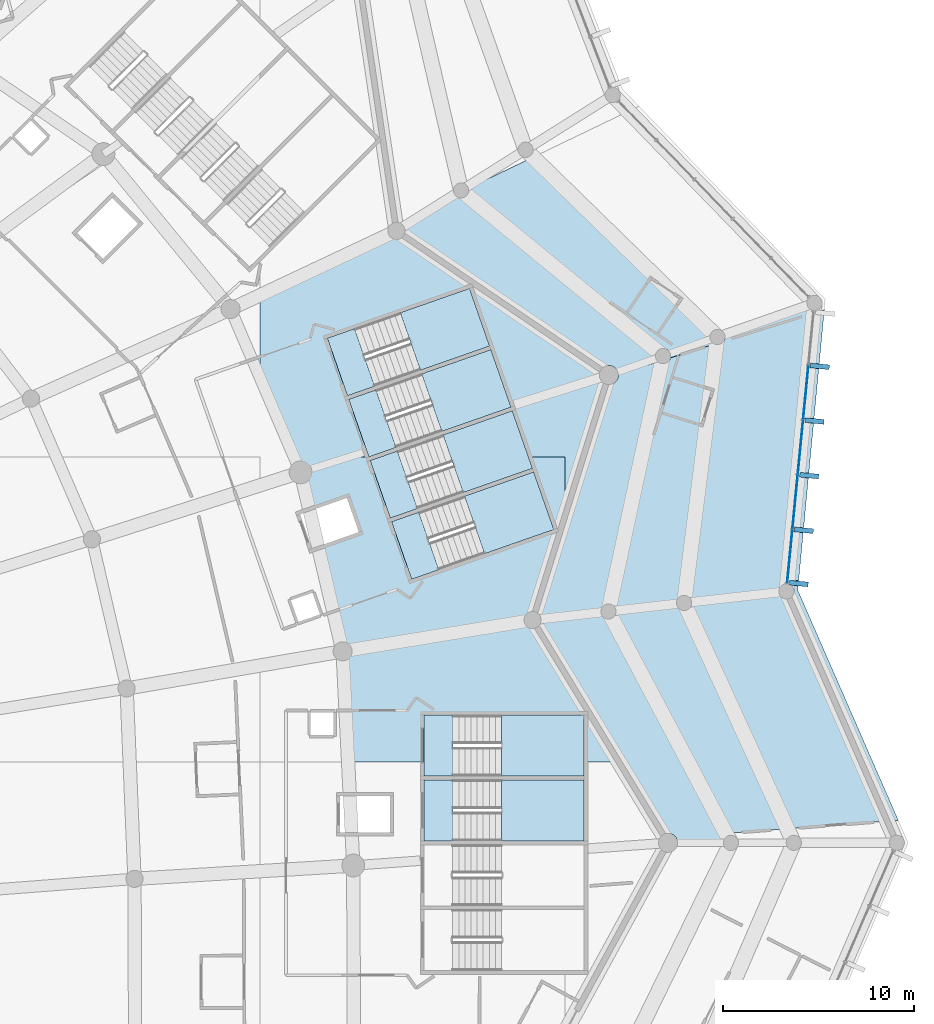
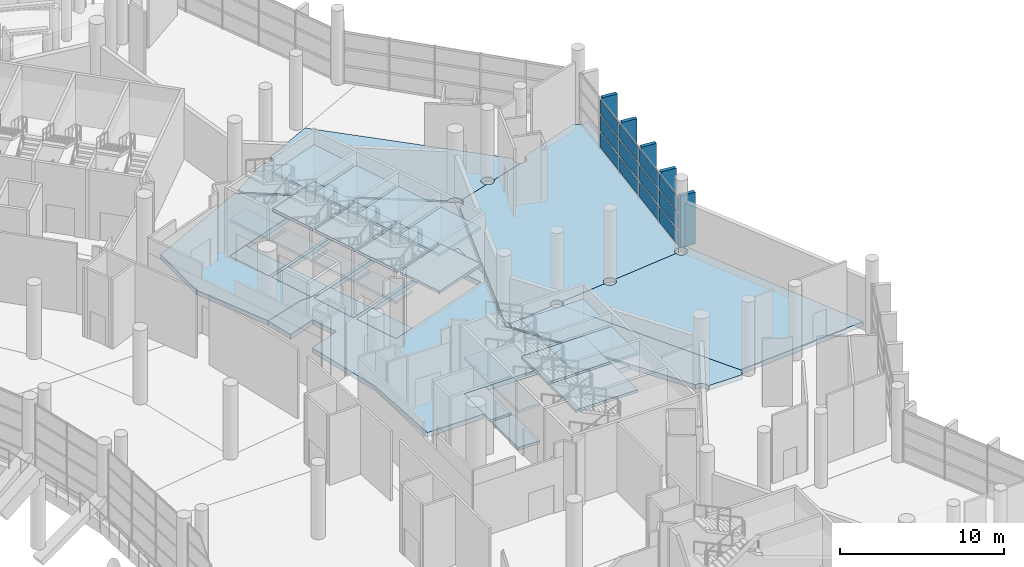
# One storey, part 151 of 271: 30 slabs, 17 plates, 7 elements without a shape of their own.
"""IFC4 building model written with IfcOpenShell, lengths in metres."""

from ifc_helpers import new_model, si_unit, direction, frame, origin, origin_2d, place, context, subcontext, project, spatial, polyline, rectangle, outline, extrude, material, layer, layer_set, type_object, element, aggregate, save


model = new_model("IFC4")

# Units and contexts
model_context = context("Model", 3, precision=1e-05, world=origin(), true_north=direction((0.0, 1.0)))
body_context = subcontext(model_context, "Body", "Model", "MODEL_VIEW")
ifc_project = project(units=[si_unit("LENGTHUNIT", "METRE"), si_unit("AREAUNIT", "SQUARE_METRE"), si_unit("VOLUMEUNIT", "CUBIC_METRE"), si_unit("PLANEANGLEUNIT", "RADIAN"), si_unit("MASSUNIT", "GRAM", prefix="KILO")], contexts=[model_context])

# Site, building, storey
site_placement = place(None, origin())
site = spatial("IfcSite", under=ifc_project, at=site_placement, CompositionType="ELEMENT")
building_placement = place(site_placement, origin())
building = spatial("IfcBuilding", under=site, at=building_placement, Name="Meseta Stadium", CompositionType="ELEMENT")
storey_placement = place(building_placement, frame((0.0, 0.0, 6.5)))
storey = spatial("IfcBuildingStorey", under=building, at=storey_placement, Name="L01", CompositionType="ELEMENT", Elevation=6.5)

# Slabs
ifc_material_1 = material(Name="Concrete C40/50", Category="concrete")
ifc_layer_1 = layer(ifc_material_1, 0.35009765625)
ifc_layer_set_1 = layer_set([ifc_layer_1], Name="Floor slab 350")
slab_type_1 = type_object("IfcSlabType", Name="Floor slab 350", PredefinedType="FLOOR", material=ifc_layer_set_1)
slab_1_placement = place(storey_placement, frame((0.0, 0.0, -0.35009765625)))
element("IfcSlab", 1, at=slab_1_placement, inside=storey, type_object=slab_type_1, Name="Floor slab L01 sector 07 panel 15", PredefinedType="FLOOR", context=body_context, shape_type="SweptSolid", body=[
    extrude(outline(polyline([(82.119873046875, 63.19091796875), (82.137451171875, 63.115966796875), (84.95703125, 64.0), (85.7041015625, 64.0), (84.647705078125, 67.01953125), (92.104248046875, 69.62890625), (93.1611328125, 66.6083984375), (85.70703125, 64.0), (86.312255859375, 64.0), (93.227294921875, 66.419677734375), (94.07373046875, 64.0), (96.0, 64.0), (96.0, 60.927734375), (98.291015625, 68.297607421875), (87.15087890625, 75.856689453125), (80.0, 72.48828125), (80.0, 68.13232421875), (82.119873046875, 63.19091796875)]), holes=[polyline([(84.58154296875, 67.208251953125), (83.524658203125, 70.228759765625), (90.981201171875, 72.837890625), (92.0380859375, 69.8173828125), (84.58154296875, 67.208251953125)])]), origin(), (0.0, 0.0, 1.0), 0.35009765625),
])
slab_2_placement = place(storey_placement, frame((0.0, 0.0, -0.35009765625)))
element("IfcSlab", 2, at=slab_2_placement, inside=storey, type_object=slab_type_1, Name="Floor slab L01 sector 07 panel 16", PredefinedType="FLOOR", context=body_context, shape_type="SweptSolid", body=[
    extrude(outline(polyline([(84.956787109375, 64.0), (82.137451171875, 63.115966796875), (82.59619140625, 61.163330078125), (84.55029296875, 61.84716796875), (85.177978515625, 60.0537109375), (83.032958984375, 59.30322265625), (84.3251953125, 53.801513671875), (84.613525390625, 48.0), (88.60009765625, 48.0), (88.60009765625, 50.449951171875), (97.0, 50.449951171875), (97.0, 48.0), (98.81689453125, 48.0), (94.29443359375, 55.44140625), (96.0, 60.927734375), (96.0, 64.0), (94.07373046875, 64.0), (94.2841796875, 63.399169921875), (86.827392578125, 60.789794921875), (85.7705078125, 63.810302734375), (86.312255859375, 64.0), (85.70703125, 64.0), (85.70458984375, 63.9990234375), (85.7041015625, 64.0), (84.956787109375, 64.0)]), holes=[polyline([(86.8935546875, 60.601318359375), (94.35009765625, 63.21044921875), (95.406982421875, 60.18994140625), (87.950439453125, 57.580810546875), (86.8935546875, 60.601318359375)])]), origin(), (0.0, 0.0, 1.0), 0.35009765625),
])
slab_3_placement = place(storey_placement, frame((0.0, 0.0, -0.35009765625)))
element("IfcSlab", 3, at=slab_3_placement, inside=storey, type_object=slab_type_1, Name="Ring floor slab L01 1 part 1 panel 03", PredefinedType="FLOOR", context=body_context, shape_type="SweptSolid", body=[
    extrude(outline(polyline([(90.25244140625, 77.69970703125), (90.197509765625, 77.771240234375), (87.533447265625, 76.097412109375), (87.5439453125, 76.083740234375), (87.589111328125, 75.97412109375), (87.604736328125, 75.856689453125), (87.58935546875, 75.740478515625), (97.980712890625, 68.689453125), (98.0390625, 68.734130859375), (98.16064453125, 68.78466796875), (98.291015625, 68.8017578125), (98.421630859375, 68.78466796875), (98.543212890625, 68.734130859375), (98.647705078125, 68.654052734375), (98.727783203125, 68.549560546875), (98.7783203125, 68.427978515625), (98.790283203125, 68.337158203125), (100.8779296875, 68.99169921875), (100.855224609375, 69.00927734375), (100.791015625, 69.0927734375), (100.750732421875, 69.190185546875), (100.737060546875, 69.29443359375), (100.750732421875, 69.39892578125), (100.791015625, 69.49609375), (100.855224609375, 69.579833984375), (100.938720703125, 69.643798828125), (101.0361328125, 69.68408203125), (101.140380859375, 69.697998046875), (101.2451171875, 69.68408203125), (101.34228515625, 69.643798828125), (101.42578125, 69.579833984375), (101.489990234375, 69.49609375), (101.5302734375, 69.39892578125), (101.5439453125, 69.29443359375), (101.531005859375, 69.196533203125), (103.84033203125, 69.920654296875), (103.7880859375, 69.942138671875), (103.70458984375, 70.00634765625), (103.640380859375, 70.08984375), (103.60009765625, 70.18701171875), (103.58642578125, 70.29150390625), (103.60009765625, 70.39599609375), (103.640380859375, 70.493408203125), (103.70166015625, 70.572998046875), (94.31884765625, 79.728515625), (90.924560546875, 78.09619140625), (90.927490234375, 78.08935546875), (90.941162109375, 77.98486328125), (90.927490234375, 77.880615234375), (90.88720703125, 77.783203125), (90.822998046875, 77.69970703125), (90.739501953125, 77.635498046875), (90.64208984375, 77.59521484375), (90.53759765625, 77.581298828125), (90.433349609375, 77.59521484375), (90.3359375, 77.635498046875), (90.25244140625, 77.69970703125)])), origin(), (0.0, 0.0, 1.0), 0.35009765625),
])
slab_4_placement = place(storey_placement, frame((0.0, 0.0, -0.35009765625)))
element("IfcSlab", 4, at=slab_4_placement, inside=storey, type_object=slab_type_1, Name="Ring floor slab L01 1 part 1 panel 04", PredefinedType="FLOOR", context=body_context, shape_type="SweptSolid", body=[
    extrude(outline(polyline([(97.919921875, 55.6875), (97.879638671875, 55.784912109375), (97.87158203125, 55.844482421875), (94.74169921875, 55.491943359375), (94.748291015625, 55.44140625), (94.73291015625, 55.323974609375), (94.6875, 55.214599609375), (94.64306640625, 55.156494140625), (101.27880859375, 44.23828125), (101.39990234375, 44.25439453125), (101.530517578125, 44.237060546875), (101.652099609375, 44.186767578125), (101.756591796875, 44.106689453125), (101.836669921875, 44.002197265625), (101.88720703125, 43.880615234375), (101.904296875, 43.75), (104.29638671875, 43.75), (104.310302734375, 43.8544921875), (104.3505859375, 43.95166015625), (104.414794921875, 44.035400390625), (104.498291015625, 44.099365234375), (104.511962890625, 44.10498046875), (98.45751953125, 55.5341796875), (98.373779296875, 55.49951171875), (98.269287109375, 55.48583984375), (98.164794921875, 55.49951171875), (98.0673828125, 55.539794921875), (97.98388671875, 55.60400390625), (97.919921875, 55.6875)])), origin(), (0.0, 0.0, 1.0), 0.35009765625),
])
slab_5_placement = place(storey_placement, frame((0.0, 0.0, -0.35009765625)))
element("IfcSlab", 5, at=slab_5_placement, inside=storey, type_object=slab_type_1, Name="Ring floor slab L01 1 part 1 panel 06", PredefinedType="FLOOR", context=body_context, shape_type="SweptSolid", body=[
    extrude(outline(polyline([(94.74169921875, 55.491943359375), (97.87158203125, 55.844482421875), (97.86572265625, 55.889404296875), (97.879638671875, 55.993896484375), (97.919921875, 56.091064453125), (97.98388671875, 56.174560546875), (98.0673828125, 56.23876953125), (98.164794921875, 56.279052734375), (98.269287109375, 56.292724609375), (98.373779296875, 56.279052734375), (98.470947265625, 56.23876953125), (98.554443359375, 56.174560546875), (98.61865234375, 56.091064453125), (98.658935546875, 55.993896484375), (98.666748046875, 55.93408203125), (101.8466796875, 56.29248046875), (101.8408203125, 56.337158203125), (101.8544921875, 56.441650390625), (101.894775390625, 56.538818359375), (101.958740234375, 56.62255859375), (102.04248046875, 56.6865234375), (102.1396484375, 56.726806640625), (102.244140625, 56.740478515625), (102.348388671875, 56.726806640625), (102.44580078125, 56.6865234375), (102.529296875, 56.62255859375), (102.593505859375, 56.538818359375), (102.6337890625, 56.441650390625), (102.6416015625, 56.382080078125), (107.212646484375, 56.89697265625), (107.206787109375, 56.94189453125), (107.220458984375, 57.046142578125), (107.2607421875, 57.1435546875), (107.324951171875, 57.22705078125), (107.408447265625, 57.291259765625), (107.505615234375, 57.33154296875), (107.610107421875, 57.34521484375), (107.649169921875, 57.340087890625), (107.657958984375, 57.430419921875), (108.255615234375, 57.526611328125), (109.601318359375, 71.726806640625), (109.03564453125, 71.54931640625), (109.048095703125, 71.6767578125), (108.982421875, 71.685302734375), (108.88525390625, 71.7255859375), (108.801513671875, 71.789794921875), (108.737548828125, 71.873291015625), (108.708740234375, 71.94287109375), (104.3681640625, 70.423828125), (104.379638671875, 70.39599609375), (104.393310546875, 70.29150390625), (104.379638671875, 70.18701171875), (104.33935546875, 70.08984375), (104.275146484375, 70.00634765625), (104.191650390625, 69.942138671875), (104.094482421875, 69.90185546875), (103.989990234375, 69.88818359375), (103.885498046875, 69.90185546875), (103.84033203125, 69.920654296875), (101.531005859375, 69.196533203125), (101.5302734375, 69.190185546875), (101.489990234375, 69.0927734375), (101.42578125, 69.00927734375), (101.34228515625, 68.945068359375), (101.2451171875, 68.90478515625), (101.140380859375, 68.89111328125), (101.0361328125, 68.90478515625), (100.938720703125, 68.945068359375), (100.8779296875, 68.99169921875), (98.790283203125, 68.337158203125), (98.79541015625, 68.297607421875), (98.7783203125, 68.1669921875), (98.727783203125, 68.04541015625), (98.647705078125, 67.94091796875), (98.543212890625, 67.860595703125), (98.421630859375, 67.810302734375), (98.29150390625, 67.793212890625), (94.563720703125, 55.802001953125), (94.615478515625, 55.762451171875), (94.6875, 55.66845703125), (94.73291015625, 55.558837890625), (94.74169921875, 55.491943359375)])), origin(), (0.0, 0.0, 1.0), 0.35009765625),
])
slab_6_placement = place(storey_placement, frame((0.0, 0.0, -0.35009765625)))
element("IfcSlab", 6, at=slab_6_placement, inside=storey, type_object=slab_type_1, Name="Ring floor slab L01 1 part 1 panel 08", PredefinedType="FLOOR", context=body_context, shape_type="SweptSolid", body=[
    extrude(outline(polyline([(98.666748046875, 55.93408203125), (98.672607421875, 55.889404296875), (98.658935546875, 55.784912109375), (98.61865234375, 55.6875), (98.554443359375, 55.60400390625), (98.470947265625, 55.539794921875), (98.45751953125, 55.5341796875), (104.438232421875, 44.244140625), (113.480712890625, 44.938232421875), (108.206298828125, 57.009033203125), (108.255615234375, 57.526611328125), (107.657958984375, 57.430419921875), (107.649169921875, 57.340087890625), (107.714599609375, 57.33154296875), (107.81201171875, 57.291259765625), (107.8955078125, 57.22705078125), (107.959716796875, 57.1435546875), (108.0, 57.046142578125), (108.013671875, 56.94189453125), (108.0, 56.83740234375), (107.959716796875, 56.739990234375), (107.8955078125, 56.656494140625), (107.81201171875, 56.59228515625), (107.714599609375, 56.552001953125), (107.610107421875, 56.538330078125), (107.505615234375, 56.552001953125), (107.408447265625, 56.59228515625), (107.324951171875, 56.656494140625), (107.2607421875, 56.739990234375), (107.220458984375, 56.83740234375), (107.212646484375, 56.89697265625), (102.6416015625, 56.382080078125), (102.647705078125, 56.337158203125), (102.6337890625, 56.23291015625), (102.593505859375, 56.135498046875), (102.529296875, 56.052001953125), (102.44580078125, 55.98779296875), (102.348388671875, 55.947509765625), (102.244140625, 55.93359375), (102.1396484375, 55.947509765625), (102.04248046875, 55.98779296875), (101.958740234375, 56.052001953125), (101.894775390625, 56.135498046875), (101.8544921875, 56.23291015625), (101.8466796875, 56.29248046875), (98.666748046875, 55.93408203125)])), origin(), (0.0, 0.0, 1.0), 0.35009765625),
])

# Curtain wall, plates
ifc_material_2 = material(Name="Aluminium", Category="aluminium")
ifc_layer_2 = layer(ifc_material_2, 0.199951171875)
ifc_layer_set_2 = layer_set([ifc_layer_2], Name="Ring shopfront curtain wall")
curtain_wall_type = type_object("IfcCurtainWallType", Name="Ring shopfront curtain wall", PredefinedType="NOTDEFINED", material=ifc_layer_set_2)
curtain_wall_placement = place(storey_placement, origin())
curtain_wall = element("IfcCurtainWall", 7, at=curtain_wall_placement, inside=storey, type_object=curtain_wall_type, Name="Ring glazing L01 F09", PredefinedType="NOTDEFINED")
ifc_material_3 = material(Name="Glass", Category="glass")
ifc_layer_3 = layer(ifc_material_3, 0.035888671875)
ifc_layer_set_3 = layer_set([ifc_layer_3], Name="Ring CW glass panel 36")
plate_type_1 = type_object("IfcPlateType", Name="Ring CW glass panel 36", PredefinedType="CURTAIN_PANEL", material=ifc_layer_set_3)
plate_1_placement = place(storey_placement, frame((107.790283203125, 58.78857421875, 0.14990234375), z_axis=(0.0, 0.0, 1.0), x_axis=(0.097124618973, 0.995272228282, 0.0)))
plate_1 = element("IfcPlate", 8, at=plate_1_placement, type_object=plate_type_1, Name="CWR1 panel 1.1", PredefinedType="CURTAIN_PANEL", context=body_context, shape_type="SweptSolid", body=[
    extrude(rectangle(XDim=2.791015625, YDim=0.035888671875, at=origin_2d()), origin(), (0.0, 0.0, 1.0), 1.058349609375),
])
plate_2_placement = place(storey_placement, frame((107.790283203125, 58.78857421875, 1.3583984375), z_axis=(0.0, 0.0, 1.0), x_axis=(0.097124618973, 0.995272228282, 0.0)))
plate_2 = element("IfcPlate", 9, at=plate_2_placement, type_object=plate_type_1, Name="CWR1 panel 1.2", PredefinedType="CURTAIN_PANEL", context=body_context, shape_type="SweptSolid", body=[
    extrude(rectangle(XDim=2.791015625, YDim=0.035888671875, at=origin_2d()), origin(), (0.0, 0.0, 1.0), 1.13330078125),
])
plate_3_placement = place(storey_placement, frame((107.790283203125, 58.78857421875, 2.6416015625), z_axis=(0.0, 0.0, 1.0), x_axis=(0.097124618973, 0.995272228282, 0.0)))
plate_3 = element("IfcPlate", 10, at=plate_3_placement, type_object=plate_type_1, Name="CWR1 panel 1.3", PredefinedType="CURTAIN_PANEL", context=body_context, shape_type="SweptSolid", body=[
    extrude(rectangle(XDim=2.791015625, YDim=0.035888671875, at=origin_2d()), origin(), (0.0, 0.0, 1.0), 1.058349609375),
])
plate_4_placement = place(storey_placement, frame((108.06884765625, 61.64111328125, 0.14990234375), z_axis=(0.0, 0.0, 1.0), x_axis=(0.097124618973, 0.995272228282, 0.0)))
plate_4 = element("IfcPlate", 11, at=plate_4_placement, type_object=plate_type_1, Name="CWR1 panel 2.1", PredefinedType="CURTAIN_PANEL", context=body_context, shape_type="SweptSolid", body=[
    extrude(rectangle(XDim=2.821044921875, YDim=0.035888671875, at=origin_2d()), origin(), (0.0, 0.0, 1.0), 1.058349609375),
])
plate_5_placement = place(storey_placement, frame((108.06884765625, 61.64111328125, 1.3583984375), z_axis=(0.0, 0.0, 1.0), x_axis=(0.097124618973, 0.995272228282, 0.0)))
plate_5 = element("IfcPlate", 12, at=plate_5_placement, type_object=plate_type_1, Name="CWR1 panel 2.2", PredefinedType="CURTAIN_PANEL", context=body_context, shape_type="SweptSolid", body=[
    extrude(rectangle(XDim=2.821044921875, YDim=0.035888671875, at=origin_2d()), origin(), (0.0, 0.0, 1.0), 1.13330078125),
])
plate_6_placement = place(storey_placement, frame((108.06884765625, 61.64111328125, 2.6416015625), z_axis=(0.0, 0.0, 1.0), x_axis=(0.097124618973, 0.995272228282, 0.0)))
plate_6 = element("IfcPlate", 13, at=plate_6_placement, type_object=plate_type_1, Name="CWR1 panel 2.3", PredefinedType="CURTAIN_PANEL", context=body_context, shape_type="SweptSolid", body=[
    extrude(rectangle(XDim=2.821044921875, YDim=0.035888671875, at=origin_2d()), origin(), (0.0, 0.0, 1.0), 1.058349609375),
])
plate_7_placement = place(storey_placement, frame((108.3486328125, 64.508544921875, 0.14990234375), z_axis=(0.0, 0.0, 1.0), x_axis=(0.097124618973, 0.995272228282, 0.0)))
plate_7 = element("IfcPlate", 14, at=plate_7_placement, type_object=plate_type_1, Name="CWR1 panel 3.1", PredefinedType="CURTAIN_PANEL", context=body_context, shape_type="SweptSolid", body=[
    extrude(rectangle(XDim=2.821044921875, YDim=0.035888671875, at=origin_2d()), origin(), (0.0, 0.0, 1.0), 1.058349609375),
])
plate_8_placement = place(storey_placement, frame((108.3486328125, 64.508544921875, 1.3583984375), z_axis=(0.0, 0.0, 1.0), x_axis=(0.097124618973, 0.995272228282, 0.0)))
plate_8 = element("IfcPlate", 15, at=plate_8_placement, type_object=plate_type_1, Name="CWR1 panel 3.2", PredefinedType="CURTAIN_PANEL", context=body_context, shape_type="SweptSolid", body=[
    extrude(rectangle(XDim=2.821044921875, YDim=0.035888671875, at=origin_2d()), origin(), (0.0, 0.0, 1.0), 1.13330078125),
])
plate_9_placement = place(storey_placement, frame((108.3486328125, 64.508544921875, 2.6416015625), z_axis=(0.0, 0.0, 1.0), x_axis=(0.097124618973, 0.995272228282, 0.0)))
plate_9 = element("IfcPlate", 16, at=plate_9_placement, type_object=plate_type_1, Name="CWR1 panel 3.3", PredefinedType="CURTAIN_PANEL", context=body_context, shape_type="SweptSolid", body=[
    extrude(rectangle(XDim=2.821044921875, YDim=0.035888671875, at=origin_2d()), origin(), (0.0, 0.0, 1.0), 1.058349609375),
])
plate_10_placement = place(storey_placement, frame((108.62841796875, 67.3759765625, 0.14990234375), z_axis=(0.0, 0.0, 1.0), x_axis=(0.097124618973, 0.995272228282, 0.0)))
plate_10 = element("IfcPlate", 17, at=plate_10_placement, type_object=plate_type_1, Name="CWR1 panel 4.1", PredefinedType="CURTAIN_PANEL", context=body_context, shape_type="SweptSolid", body=[
    extrude(rectangle(XDim=2.821044921875, YDim=0.035888671875, at=origin_2d()), origin(), (0.0, 0.0, 1.0), 1.058349609375),
])
plate_11_placement = place(storey_placement, frame((108.62841796875, 67.3759765625, 1.3583984375), z_axis=(0.0, 0.0, 1.0), x_axis=(0.097124618973, 0.995272228282, 0.0)))
plate_11 = element("IfcPlate", 18, at=plate_11_placement, type_object=plate_type_1, Name="CWR1 panel 4.2", PredefinedType="CURTAIN_PANEL", context=body_context, shape_type="SweptSolid", body=[
    extrude(rectangle(XDim=2.821044921875, YDim=0.035888671875, at=origin_2d()), origin(), (0.0, 0.0, 1.0), 1.13330078125),
])
plate_12_placement = place(storey_placement, frame((108.62841796875, 67.3759765625, 2.6416015625), z_axis=(0.0, 0.0, 1.0), x_axis=(0.097124618973, 0.995272228282, 0.0)))
plate_12 = element("IfcPlate", 19, at=plate_12_placement, type_object=plate_type_1, Name="CWR1 panel 4.3", PredefinedType="CURTAIN_PANEL", context=body_context, shape_type="SweptSolid", body=[
    extrude(rectangle(XDim=2.821044921875, YDim=0.035888671875, at=origin_2d()), origin(), (0.0, 0.0, 1.0), 1.058349609375),
])
aggregate(curtain_wall, [plate_1, plate_2, plate_3, plate_4, plate_5, plate_6, plate_7, plate_8, plate_9, plate_10, plate_11, plate_12])

# Plates
ifc_material_4 = material(Name="Precast concrete C40/50", Category="concrete")
ifc_layer_4 = layer(ifc_material_4, 0.25)
ifc_layer_set_4 = layer_set([ifc_layer_4], Name="Ring brise-soleil fin 250x1000")
plate_type_2 = type_object("IfcPlateType", Name="Ring brise-soleil fin 250x1000", PredefinedType="USERDEFINED", material=ifc_layer_set_4)
for number, where, z_axis, x_axis, name in (
    (20, (108.25341796875, 57.356201171875, 0.0), (0.0, 0.0, 1.0), (0.097122584472, 0.995272426819, 0.0), "Brise-soleil fin L01 F09.1"),
    (21, (108.52587890625, 60.14892578125, 0.0), (0.0, 0.0, 1.0), (0.097122584472, 0.995272426819, 0.0), "Brise-soleil fin L01 F09.2"),
    (22, (108.805908203125, 63.0166015625, 0.0), (0.0, 0.0, 1.0), (0.097122584472, 0.995272426819, 0.0), "Brise-soleil fin L01 F09.3"),
    (23, (109.085693359375, 65.8837890625, 0.0), (0.0, 0.0, 1.0), (0.097122584472, 0.995272426819, 0.0), "Brise-soleil fin L01 F09.4"),
    (24, (109.365478515625, 68.751220703125, 0.0), (0.0, 0.0, 1.0), (0.097122584472, 0.995272426819, 0.0), "Brise-soleil fin L01 F09.5"),
):
    element("IfcPlate", number, at=place(storey_placement, frame(where, z_axis=z_axis, x_axis=x_axis)), inside=storey, type_object=plate_type_2, Name=name, ObjectType="FIN", PredefinedType="USERDEFINED", context=body_context, shape_type="SweptSolid", body=[
        extrude(rectangle(XDim=0.25, YDim=1.0, at=origin_2d()), origin(), (0.0, 0.0, 1.0), 3.85009765625),
    ])

# Stair, slabs
ifc_material_5 = material(Name="Concrete C40/50", Category="concrete")
stair_type = type_object("IfcStairType", Name="Exit stair 4 flights 153 mm risers", PredefinedType="HALF_TURN_STAIR", material=ifc_material_5)
stair_1_placement = place(storey_placement, origin())
stair_1 = element("IfcStair", 25, at=stair_1_placement, inside=storey, type_object=stair_type, Name="ST19 L01", PredefinedType="HALF_TURN_STAIR")
ifc_material_6 = material(Name="Concrete C40/50", Category="concrete")
ifc_layer_5 = layer(ifc_material_6, 0.199951171875)
ifc_layer_set_5 = layer_set([ifc_layer_5], Name="Stair landing 200")
slab_type_2 = type_object("IfcSlabType", Name="Stair landing 200", PredefinedType="LANDING", material=ifc_layer_set_5)
slab_7_placement = place(storey_placement, frame((0.0, 0.0, 1.175048828125)))
slab_7 = element("IfcSlab", 26, at=slab_7_placement, type_object=slab_type_2, Name="ST19 L01 landing 1", PredefinedType="LANDING", context=body_context, shape_type="SweptSolid", body=[
    extrude(outline(polyline([(92.64990234375, 43.85009765625), (97.0, 43.85009765625), (97.0, 47.050048828125), (92.64990234375, 47.050048828125), (92.64990234375, 43.85009765625)])), origin(), (0.0, 0.0, 1.0), 0.199951171875),
])
slab_8_placement = place(storey_placement, frame((0.0, 0.0, 2.550048828125)))
slab_8 = element("IfcSlab", 27, at=slab_8_placement, type_object=slab_type_2, Name="ST19 L01 landing 2", PredefinedType="LANDING", context=body_context, shape_type="SweptSolid", body=[
    extrude(outline(polyline([(88.60009765625, 43.85009765625), (90.110107421875, 43.85009765625), (90.110107421875, 47.050048828125), (88.60009765625, 47.050048828125), (88.60009765625, 43.85009765625)])), origin(), (0.0, 0.0, 1.0), 0.199951171875),
])
slab_9_placement = place(storey_placement, frame((0.0, 0.0, 3.925048828125)))
slab_9 = element("IfcSlab", 28, at=slab_9_placement, type_object=slab_type_2, Name="ST19 L01 landing 3", PredefinedType="LANDING", context=body_context, shape_type="SweptSolid", body=[
    extrude(outline(polyline([(92.64990234375, 43.85009765625), (97.0, 43.85009765625), (97.0, 47.050048828125), (92.64990234375, 47.050048828125), (92.64990234375, 43.85009765625)])), origin(), (0.0, 0.0, 1.0), 0.199951171875),
])
slab_10_placement = place(storey_placement, frame((0.0, 0.0, -0.199951171875)))
slab_10 = element("IfcSlab", 29, at=slab_10_placement, type_object=slab_type_2, Name="ST19 L01 landing 4", PredefinedType="LANDING", context=body_context, shape_type="SweptSolid", body=[
    extrude(outline(polyline([(88.60009765625, 43.85009765625), (90.110107421875, 43.85009765625), (90.110107421875, 47.050048828125), (88.60009765625, 47.050048828125), (88.60009765625, 43.85009765625)])), origin(), (0.0, 0.0, 1.0), 0.199951171875),
])
aggregate(stair_1, [slab_7, slab_8, slab_9, slab_10])

stair_2_placement = place(storey_placement, origin())
stair_2 = element("IfcStair", 30, at=stair_2_placement, inside=storey, type_object=stair_type, Name="ST20 L01", PredefinedType="HALF_TURN_STAIR")
slab_11_placement = place(storey_placement, frame((0.0, 0.0, 1.175048828125)))
slab_11 = element("IfcSlab", 31, at=slab_11_placement, type_object=slab_type_2, Name="ST20 L01 landing 1", PredefinedType="LANDING", context=body_context, shape_type="SweptSolid", body=[
    extrude(outline(polyline([(92.64990234375, 47.25), (97.0, 47.25), (97.0, 50.449951171875), (92.64990234375, 50.449951171875), (92.64990234375, 47.25)])), origin(), (0.0, 0.0, 1.0), 0.199951171875),
])
slab_12_placement = place(storey_placement, frame((0.0, 0.0, 2.550048828125)))
slab_12 = element("IfcSlab", 32, at=slab_12_placement, type_object=slab_type_2, Name="ST20 L01 landing 2", PredefinedType="LANDING", context=body_context, shape_type="SweptSolid", body=[
    extrude(outline(polyline([(88.60009765625, 47.25), (90.110107421875, 47.25), (90.110107421875, 50.449951171875), (88.60009765625, 50.449951171875), (88.60009765625, 47.25)])), origin(), (0.0, 0.0, 1.0), 0.199951171875),
])
slab_13_placement = place(storey_placement, frame((0.0, 0.0, 3.925048828125)))
slab_13 = element("IfcSlab", 33, at=slab_13_placement, type_object=slab_type_2, Name="ST20 L01 landing 3", PredefinedType="LANDING", context=body_context, shape_type="SweptSolid", body=[
    extrude(outline(polyline([(92.64990234375, 47.25), (97.0, 47.25), (97.0, 50.449951171875), (92.64990234375, 50.449951171875), (92.64990234375, 47.25)])), origin(), (0.0, 0.0, 1.0), 0.199951171875),
])
slab_14_placement = place(storey_placement, frame((0.0, 0.0, -0.199951171875)))
slab_14 = element("IfcSlab", 34, at=slab_14_placement, type_object=slab_type_2, Name="ST20 L01 landing 4", PredefinedType="LANDING", context=body_context, shape_type="SweptSolid", body=[
    extrude(outline(polyline([(88.60009765625, 47.25), (90.110107421875, 47.25), (90.110107421875, 50.449951171875), (88.60009765625, 50.449951171875), (88.60009765625, 47.25)])), origin(), (0.0, 0.0, 1.0), 0.199951171875),
])
aggregate(stair_2, [slab_11, slab_12, slab_13, slab_14])

stair_3_placement = place(storey_placement, origin())
stair_3 = element("IfcStair", 35, at=stair_3_placement, inside=storey, type_object=stair_type, Name="ST21 L01", PredefinedType="HALF_TURN_STAIR")
slab_15_placement = place(storey_placement, frame((0.0, 0.0, 1.175048828125)))
slab_15 = element("IfcSlab", 36, at=slab_15_placement, type_object=slab_type_2, Name="ST21 L01 landing 1", PredefinedType="LANDING", context=body_context, shape_type="SweptSolid", body=[
    extrude(outline(polyline([(91.773193359375, 58.91845703125), (95.406982421875, 60.18994140625), (94.35009765625, 63.21044921875), (90.71630859375, 61.938720703125), (91.773193359375, 58.91845703125)])), origin(), (0.0, 0.0, 1.0), 0.199951171875),
])
slab_16_placement = place(storey_placement, frame((0.0, 0.0, 2.550048828125)))
slab_16 = element("IfcSlab", 37, at=slab_16_placement, type_object=slab_type_2, Name="ST21 L01 landing 2", PredefinedType="LANDING", context=body_context, shape_type="SweptSolid", body=[
    extrude(outline(polyline([(87.950439453125, 57.580810546875), (89.375732421875, 58.079345703125), (88.31884765625, 61.099853515625), (86.8935546875, 60.60107421875), (87.950439453125, 57.580810546875)])), origin(), (0.0, 0.0, 1.0), 0.199951171875),
])
slab_17_placement = place(storey_placement, frame((0.0, 0.0, 3.925048828125)))
slab_17 = element("IfcSlab", 38, at=slab_17_placement, type_object=slab_type_2, Name="ST21 L01 landing 3", PredefinedType="LANDING", context=body_context, shape_type="SweptSolid", body=[
    extrude(outline(polyline([(91.773193359375, 58.91845703125), (95.406982421875, 60.18994140625), (94.35009765625, 63.21044921875), (90.71630859375, 61.938720703125), (91.773193359375, 58.91845703125)])), origin(), (0.0, 0.0, 1.0), 0.199951171875),
])
slab_18_placement = place(storey_placement, frame((0.0, 0.0, -0.199951171875)))
slab_18 = element("IfcSlab", 39, at=slab_18_placement, type_object=slab_type_2, Name="ST21 L01 landing 4", PredefinedType="LANDING", context=body_context, shape_type="SweptSolid", body=[
    extrude(outline(polyline([(87.950439453125, 57.580810546875), (89.375732421875, 58.079345703125), (88.31884765625, 61.099853515625), (86.8935546875, 60.60107421875), (87.950439453125, 57.580810546875)])), origin(), (0.0, 0.0, 1.0), 0.199951171875),
])
aggregate(stair_3, [slab_15, slab_16, slab_17, slab_18])

stair_4_placement = place(storey_placement, origin())
stair_4 = element("IfcStair", 40, at=stair_4_placement, inside=storey, type_object=stair_type, Name="ST22 L01", PredefinedType="HALF_TURN_STAIR")
slab_19_placement = place(storey_placement, frame((0.0, 0.0, 1.175048828125)))
slab_19 = element("IfcSlab", 41, at=slab_19_placement, type_object=slab_type_2, Name="ST22 L01 landing 1", PredefinedType="LANDING", context=body_context, shape_type="SweptSolid", body=[
    extrude(outline(polyline([(90.650146484375, 62.127685546875), (94.2841796875, 63.399169921875), (93.227294921875, 66.419677734375), (89.59326171875, 65.14794921875), (90.650146484375, 62.127685546875)])), origin(), (0.0, 0.0, 1.0), 0.199951171875),
])
slab_20_placement = place(storey_placement, frame((0.0, 0.0, 2.550048828125)))
slab_20 = element("IfcSlab", 42, at=slab_20_placement, type_object=slab_type_2, Name="ST22 L01 landing 2", PredefinedType="LANDING", context=body_context, shape_type="SweptSolid", body=[
    extrude(outline(polyline([(86.827392578125, 60.7900390625), (88.252685546875, 61.28857421875), (87.19580078125, 64.30908203125), (85.7705078125, 63.810302734375), (86.827392578125, 60.7900390625)])), origin(), (0.0, 0.0, 1.0), 0.199951171875),
])
slab_21_placement = place(storey_placement, frame((0.0, 0.0, 3.925048828125)))
slab_21 = element("IfcSlab", 43, at=slab_21_placement, type_object=slab_type_2, Name="ST22 L01 landing 3", PredefinedType="LANDING", context=body_context, shape_type="SweptSolid", body=[
    extrude(outline(polyline([(90.650146484375, 62.127685546875), (94.2841796875, 63.399169921875), (93.227294921875, 66.419677734375), (89.59326171875, 65.14794921875), (90.650146484375, 62.127685546875)])), origin(), (0.0, 0.0, 1.0), 0.199951171875),
])
slab_22_placement = place(storey_placement, frame((0.0, 0.0, -0.199951171875)))
slab_22 = element("IfcSlab", 44, at=slab_22_placement, type_object=slab_type_2, Name="ST22 L01 landing 4", PredefinedType="LANDING", context=body_context, shape_type="SweptSolid", body=[
    extrude(outline(polyline([(86.827392578125, 60.7900390625), (88.252685546875, 61.28857421875), (87.19580078125, 64.30908203125), (85.7705078125, 63.810302734375), (86.827392578125, 60.7900390625)])), origin(), (0.0, 0.0, 1.0), 0.199951171875),
])
aggregate(stair_4, [slab_19, slab_20, slab_21, slab_22])

stair_5_placement = place(storey_placement, origin())
stair_5 = element("IfcStair", 45, at=stair_5_placement, inside=storey, type_object=stair_type, Name="ST23 L01", PredefinedType="HALF_TURN_STAIR")
slab_23_placement = place(storey_placement, frame((0.0, 0.0, 1.175048828125)))
slab_23 = element("IfcSlab", 46, at=slab_23_placement, type_object=slab_type_2, Name="ST23 L01 landing 1", PredefinedType="LANDING", context=body_context, shape_type="SweptSolid", body=[
    extrude(outline(polyline([(89.527099609375, 65.336669921875), (93.1611328125, 66.6083984375), (92.104248046875, 69.628662109375), (88.47021484375, 68.357177734375), (89.527099609375, 65.336669921875)])), origin(), (0.0, 0.0, 1.0), 0.199951171875),
])
slab_24_placement = place(storey_placement, frame((0.0, 0.0, 2.550048828125)))
slab_24 = element("IfcSlab", 47, at=slab_24_placement, type_object=slab_type_2, Name="ST23 L01 landing 2", PredefinedType="LANDING", context=body_context, shape_type="SweptSolid", body=[
    extrude(outline(polyline([(85.704345703125, 63.9990234375), (87.129638671875, 64.497802734375), (86.07275390625, 67.518310546875), (84.6474609375, 67.01953125), (85.704345703125, 63.9990234375)])), origin(), (0.0, 0.0, 1.0), 0.199951171875),
])
slab_25_placement = place(storey_placement, frame((0.0, 0.0, 3.925048828125)))
slab_25 = element("IfcSlab", 48, at=slab_25_placement, type_object=slab_type_2, Name="ST23 L01 landing 3", PredefinedType="LANDING", context=body_context, shape_type="SweptSolid", body=[
    extrude(outline(polyline([(89.527099609375, 65.336669921875), (93.1611328125, 66.6083984375), (92.104248046875, 69.628662109375), (88.47021484375, 68.357177734375), (89.527099609375, 65.336669921875)])), origin(), (0.0, 0.0, 1.0), 0.199951171875),
])
slab_26_placement = place(storey_placement, frame((0.0, 0.0, -0.199951171875)))
slab_26 = element("IfcSlab", 49, at=slab_26_placement, type_object=slab_type_2, Name="ST23 L01 landing 4", PredefinedType="LANDING", context=body_context, shape_type="SweptSolid", body=[
    extrude(outline(polyline([(85.704345703125, 63.9990234375), (87.129638671875, 64.497802734375), (86.07275390625, 67.518310546875), (84.6474609375, 67.01953125), (85.704345703125, 63.9990234375)])), origin(), (0.0, 0.0, 1.0), 0.199951171875),
])
aggregate(stair_5, [slab_23, slab_24, slab_25, slab_26])

stair_6_placement = place(storey_placement, origin())
stair_6 = element("IfcStair", 50, at=stair_6_placement, inside=storey, type_object=stair_type, Name="ST24 L01", PredefinedType="HALF_TURN_STAIR")
slab_27_placement = place(storey_placement, frame((0.0, 0.0, 1.175048828125)))
slab_27 = element("IfcSlab", 51, at=slab_27_placement, type_object=slab_type_2, Name="ST24 L01 landing 1", PredefinedType="LANDING", context=body_context, shape_type="SweptSolid", body=[
    extrude(outline(polyline([(88.404296875, 68.5458984375), (92.0380859375, 69.817626953125), (90.981201171875, 72.837890625), (87.347412109375, 71.56640625), (88.404296875, 68.5458984375)])), origin(), (0.0, 0.0, 1.0), 0.199951171875),
])
slab_28_placement = place(storey_placement, frame((0.0, 0.0, 2.550048828125)))
slab_28 = element("IfcSlab", 52, at=slab_28_placement, type_object=slab_type_2, Name="ST24 L01 landing 2", PredefinedType="LANDING", context=body_context, shape_type="SweptSolid", body=[
    extrude(outline(polyline([(84.58154296875, 67.208251953125), (86.0068359375, 67.70703125), (84.949951171875, 70.7275390625), (83.524658203125, 70.228759765625), (84.58154296875, 67.208251953125)])), origin(), (0.0, 0.0, 1.0), 0.199951171875),
])
slab_29_placement = place(storey_placement, frame((0.0, 0.0, 3.925048828125)))
slab_29 = element("IfcSlab", 53, at=slab_29_placement, type_object=slab_type_2, Name="ST24 L01 landing 3", PredefinedType="LANDING", context=body_context, shape_type="SweptSolid", body=[
    extrude(outline(polyline([(88.404296875, 68.5458984375), (92.0380859375, 69.817626953125), (90.981201171875, 72.837890625), (87.347412109375, 71.56640625), (88.404296875, 68.5458984375)])), origin(), (0.0, 0.0, 1.0), 0.199951171875),
])
slab_30_placement = place(storey_placement, frame((0.0, 0.0, -0.199951171875)))
slab_30 = element("IfcSlab", 54, at=slab_30_placement, type_object=slab_type_2, Name="ST24 L01 landing 4", PredefinedType="LANDING", context=body_context, shape_type="SweptSolid", body=[
    extrude(outline(polyline([(84.58154296875, 67.208251953125), (86.0068359375, 67.70703125), (84.949951171875, 70.7275390625), (83.524658203125, 70.228759765625), (84.58154296875, 67.208251953125)])), origin(), (0.0, 0.0, 1.0), 0.199951171875),
])
aggregate(stair_6, [slab_27, slab_28, slab_29, slab_30])

save(model, "model.ifc")
